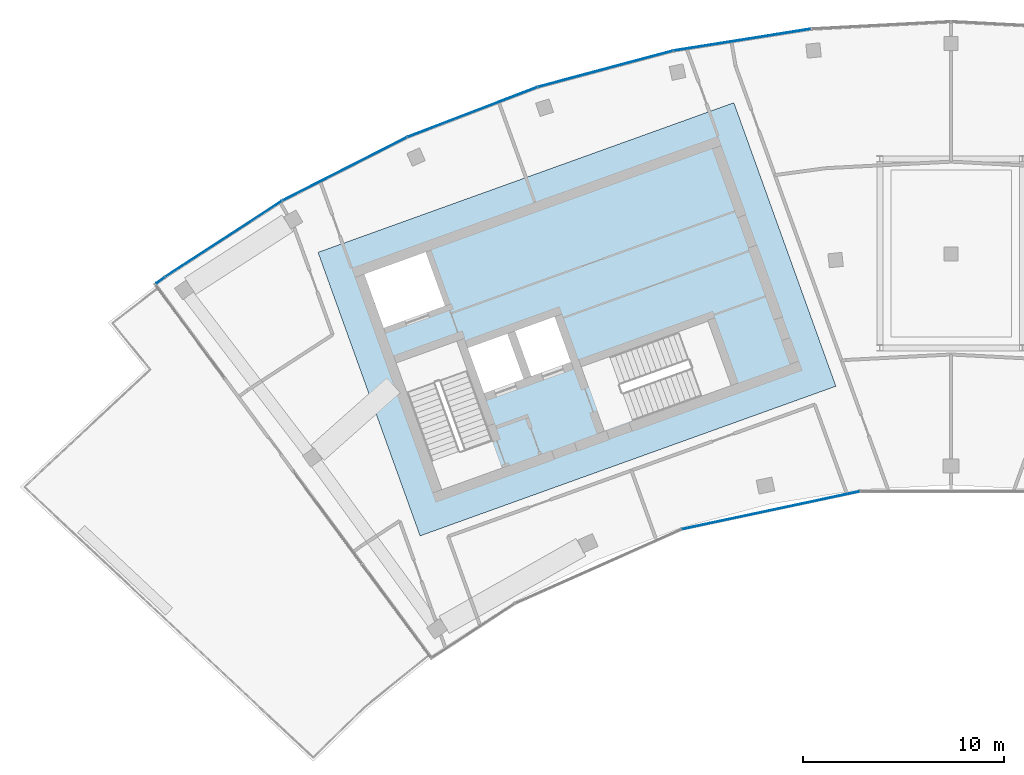
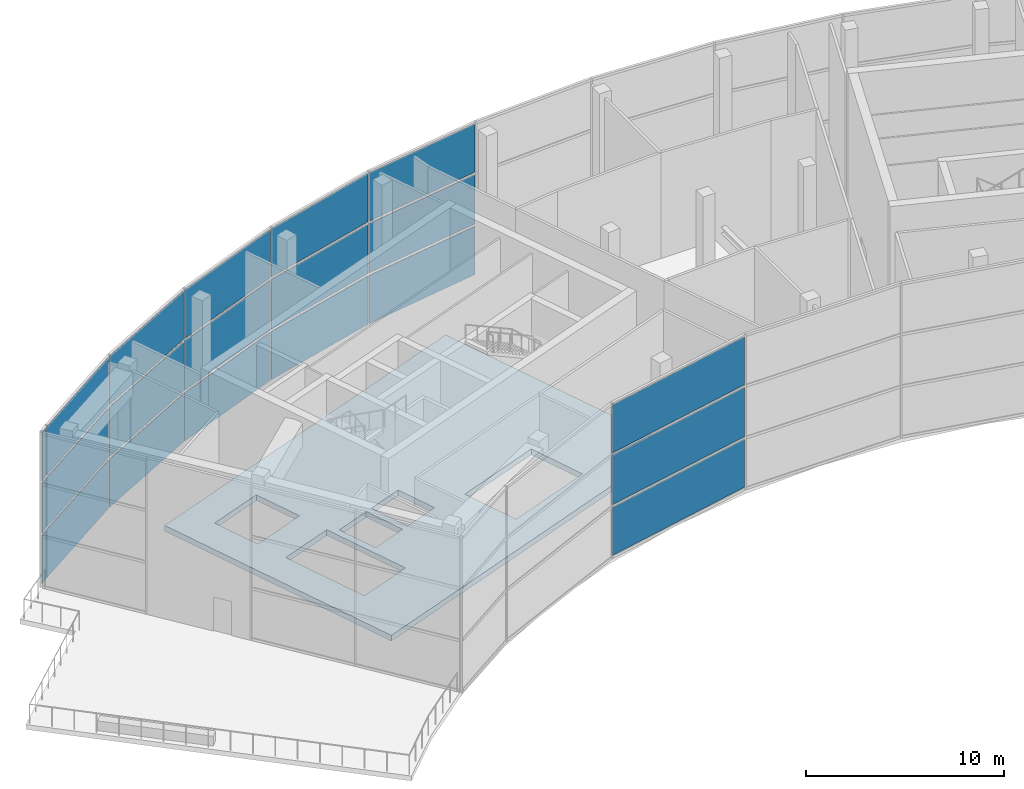
# One storey, part 10 of 20: 21 plates, 1 slab, 2 elements without a shape of their own.
"""IFC4 building model written with IfcOpenShell, lengths in metres."""

from ifc_helpers import new_model, si_unit, direction, frame, origin, origin_2d, place, context, subcontext, project, spatial, polyline, rectangle, outline, extrude, material, layer, layer_set, type_object, element, aggregate, save


model = new_model("IFC4")

# Units and contexts
model_context = context("Model", 3, precision=1e-05, world=origin(), true_north=direction((0.0, 1.0)))
body_context = subcontext(model_context, "Body", "Model", "MODEL_VIEW")
ifc_project = project(units=[si_unit("LENGTHUNIT", "METRE"), si_unit("AREAUNIT", "SQUARE_METRE"), si_unit("VOLUMEUNIT", "CUBIC_METRE"), si_unit("PLANEANGLEUNIT", "RADIAN"), si_unit("MASSUNIT", "GRAM", prefix="KILO")], contexts=[model_context])

# Site, building, storey
site_placement = place(None, origin())
site = spatial("IfcSite", under=ifc_project, at=site_placement, CompositionType="ELEMENT")
building_placement = place(site_placement, origin())
building = spatial("IfcBuilding", under=site, at=building_placement, Name="Stone Belt Terrace Tower", CompositionType="ELEMENT")
storey_placement = place(building_placement, frame((0.0, 0.0, 323.0)))
storey = spatial("IfcBuildingStorey", under=building, at=storey_placement, Name="L78", CompositionType="ELEMENT", Elevation=323.0)

# Curtain wall, plates
ifc_material_1 = material(Name="Aluminium 6063-T6 anodised frame", Category="aluminium")
ifc_layer_1 = layer(ifc_material_1, 0.14990234375)
ifc_layer_set_1 = layer_set([ifc_layer_1], Name="CW-E conservatory and damper hall curtain wall")
curtain_wall_type = type_object("IfcCurtainWallType", Name="CW-E conservatory and damper hall curtain wall", PredefinedType="NOTDEFINED", material=ifc_layer_set_1)
curtain_wall_1_placement = place(storey_placement, origin())
curtain_wall_1 = element("IfcCurtainWall", 1, at=curtain_wall_1_placement, inside=storey, type_object=curtain_wall_type, Name="CW-E concave face L78", PredefinedType="NOTDEFINED")
ifc_material_2 = material(Name="Clear double glazed unit")
ifc_layer_2 = layer(ifc_material_2, 0.035888671875)
ifc_layer_set_2 = layer_set([ifc_layer_2], Name="CW-E glass panel 36")
plate_type = type_object("IfcPlateType", Name="CW-E glass panel 36", PredefinedType="CURTAIN_PANEL", material=ifc_layer_set_2)
plate_1_placement = place(storey_placement, frame((-8.97900390625, 42.242919921875, 0.14990234375), z_axis=(0.0, 0.0, 1.0), x_axis=(0.978147600734, 0.207911690818, 0.0)))
plate_1 = element("IfcPlate", 2, at=plate_1_placement, type_object=plate_type, Name="CW-E panel 3.1", PredefinedType="CURTAIN_PANEL", context=body_context, shape_type="SweptSolid", body=[
    extrude(rectangle(XDim=8.98291015625, YDim=0.035888671875, at=origin_2d()), origin(), (0.0, 0.0, 1.0), 2.97509765625),
])
plate_2_placement = place(storey_placement, frame((-8.97900390625, 42.242919921875, 3.27490234375), z_axis=(0.0, 0.0, 1.0), x_axis=(0.978147600734, 0.207911690818, 0.0)))
plate_2 = element("IfcPlate", 3, at=plate_2_placement, type_object=plate_type, Name="CW-E panel 3.2", PredefinedType="CURTAIN_PANEL", context=body_context, shape_type="SweptSolid", body=[
    extrude(rectangle(XDim=8.98291015625, YDim=0.035888671875, at=origin_2d()), origin(), (0.0, 0.0, 1.0), 3.050048828125),
])
plate_3_placement = place(storey_placement, frame((-8.97900390625, 42.242919921875, 6.474853515625), z_axis=(0.0, 0.0, 1.0), x_axis=(0.978147600734, 0.207911690818, 0.0)))
plate_3 = element("IfcPlate", 4, at=plate_3_placement, type_object=plate_type, Name="CW-E panel 3.3", PredefinedType="CURTAIN_PANEL", context=body_context, shape_type="SweptSolid", body=[
    extrude(rectangle(XDim=8.98291015625, YDim=0.035888671875, at=origin_2d()), origin(), (0.0, 0.0, 1.0), 2.97509765625),
])
aggregate(curtain_wall_1, [plate_1, plate_2, plate_3])

curtain_wall_2_placement = place(storey_placement, origin())
curtain_wall_2 = element("IfcCurtainWall", 5, at=curtain_wall_2_placement, inside=storey, type_object=curtain_wall_type, Name="CW-E convex face L78", PredefinedType="NOTDEFINED")
plate_4_placement = place(storey_placement, frame((-10.400390625, 65.665283203125, 0.14990234375), z_axis=(0.0, 0.0, 1.0), x_axis=(-0.987688340595, -0.15643446504, 0.0)))
plate_4 = element("IfcPlate", 6, at=plate_4_placement, type_object=plate_type, Name="CW-E panel 9.1", PredefinedType="CURTAIN_PANEL", context=body_context, shape_type="SweptSolid", body=[
    extrude(rectangle(XDim=6.880859375, YDim=0.035888671875, at=origin_2d()), origin(), (0.0, 0.0, 1.0), 2.97509765625),
])
plate_5_placement = place(storey_placement, frame((-10.400390625, 65.665283203125, 3.27490234375), z_axis=(0.0, 0.0, 1.0), x_axis=(-0.987688340595, -0.15643446504, 0.0)))
plate_5 = element("IfcPlate", 7, at=plate_5_placement, type_object=plate_type, Name="CW-E panel 9.2", PredefinedType="CURTAIN_PANEL", context=body_context, shape_type="SweptSolid", body=[
    extrude(rectangle(XDim=6.880859375, YDim=0.035888671875, at=origin_2d()), origin(), (0.0, 0.0, 1.0), 3.050048828125),
])
plate_6_placement = place(storey_placement, frame((-10.400390625, 65.665283203125, 6.474853515625), z_axis=(0.0, 0.0, 1.0), x_axis=(-0.987688340595, -0.15643446504, 0.0)))
plate_6 = element("IfcPlate", 8, at=plate_6_placement, type_object=plate_type, Name="CW-E panel 9.3", PredefinedType="CURTAIN_PANEL", context=body_context, shape_type="SweptSolid", body=[
    extrude(rectangle(XDim=6.880859375, YDim=0.035888671875, at=origin_2d()), origin(), (0.0, 0.0, 1.0), 2.97509765625),
])
plate_7_placement = place(storey_placement, frame((-17.207275390625, 64.218505859375, 0.14990234375), z_axis=(0.0, 0.0, 1.0), x_axis=(-0.965925826289, -0.258819045103, 0.0)))
plate_7 = element("IfcPlate", 9, at=plate_7_placement, type_object=plate_type, Name="CW-E panel 10.1", PredefinedType="CURTAIN_PANEL", context=body_context, shape_type="SweptSolid", body=[
    extrude(rectangle(XDim=6.880859375, YDim=0.035888671875, at=origin_2d()), origin(), (0.0, 0.0, 1.0), 2.97509765625),
])
plate_8_placement = place(storey_placement, frame((-17.207275390625, 64.218505859375, 3.27490234375), z_axis=(0.0, 0.0, 1.0), x_axis=(-0.965925826289, -0.258819045103, 0.0)))
plate_8 = element("IfcPlate", 10, at=plate_8_placement, type_object=plate_type, Name="CW-E panel 10.2", PredefinedType="CURTAIN_PANEL", context=body_context, shape_type="SweptSolid", body=[
    extrude(rectangle(XDim=6.880859375, YDim=0.035888671875, at=origin_2d()), origin(), (0.0, 0.0, 1.0), 3.050048828125),
])
plate_9_placement = place(storey_placement, frame((-17.207275390625, 64.218505859375, 6.474853515625), z_axis=(0.0, 0.0, 1.0), x_axis=(-0.965925826289, -0.258819045103, 0.0)))
plate_9 = element("IfcPlate", 11, at=plate_9_placement, type_object=plate_type, Name="CW-E panel 10.3", PredefinedType="CURTAIN_PANEL", context=body_context, shape_type="SweptSolid", body=[
    extrude(rectangle(XDim=6.880859375, YDim=0.035888671875, at=origin_2d()), origin(), (0.0, 0.0, 1.0), 2.97509765625),
])
plate_10_placement = place(storey_placement, frame((-23.82568359375, 62.068115234375, 0.14990234375), z_axis=(0.0, 0.0, 1.0), x_axis=(-0.933580426497, -0.358367949545, 0.0)))
plate_10 = element("IfcPlate", 12, at=plate_10_placement, type_object=plate_type, Name="CW-E panel 11.1", PredefinedType="CURTAIN_PANEL", context=body_context, shape_type="SweptSolid", body=[
    extrude(rectangle(XDim=6.880859375, YDim=0.035888671875, at=origin_2d()), origin(), (0.0, 0.0, 1.0), 2.97509765625),
])
plate_11_placement = place(storey_placement, frame((-23.82568359375, 62.068115234375, 3.27490234375), z_axis=(0.0, 0.0, 1.0), x_axis=(-0.933580426497, -0.358367949545, 0.0)))
plate_11 = element("IfcPlate", 13, at=plate_11_placement, type_object=plate_type, Name="CW-E panel 11.2", PredefinedType="CURTAIN_PANEL", context=body_context, shape_type="SweptSolid", body=[
    extrude(rectangle(XDim=6.880859375, YDim=0.035888671875, at=origin_2d()), origin(), (0.0, 0.0, 1.0), 3.050048828125),
])
plate_12_placement = place(storey_placement, frame((-23.82568359375, 62.068115234375, 6.474853515625), z_axis=(0.0, 0.0, 1.0), x_axis=(-0.933580426497, -0.358367949545, 0.0)))
plate_12 = element("IfcPlate", 14, at=plate_12_placement, type_object=plate_type, Name="CW-E panel 11.3", PredefinedType="CURTAIN_PANEL", context=body_context, shape_type="SweptSolid", body=[
    extrude(rectangle(XDim=6.880859375, YDim=0.035888671875, at=origin_2d()), origin(), (0.0, 0.0, 1.0), 2.97509765625),
])
plate_13_placement = place(storey_placement, frame((-30.18310546875, 59.237548828125, 0.14990234375), z_axis=(0.0, 0.0, 1.0), x_axis=(-0.891006524188, -0.45399049974, 0.0)))
plate_13 = element("IfcPlate", 15, at=plate_13_placement, type_object=plate_type, Name="CW-E panel 12.1", PredefinedType="CURTAIN_PANEL", context=body_context, shape_type="SweptSolid", body=[
    extrude(rectangle(XDim=6.880859375, YDim=0.035888671875, at=origin_2d()), origin(), (0.0, 0.0, 1.0), 2.97509765625),
])
plate_14_placement = place(storey_placement, frame((-30.18310546875, 59.237548828125, 3.27490234375), z_axis=(0.0, 0.0, 1.0), x_axis=(-0.891006524188, -0.45399049974, 0.0)))
plate_14 = element("IfcPlate", 16, at=plate_14_placement, type_object=plate_type, Name="CW-E panel 12.2", PredefinedType="CURTAIN_PANEL", context=body_context, shape_type="SweptSolid", body=[
    extrude(rectangle(XDim=6.880859375, YDim=0.035888671875, at=origin_2d()), origin(), (0.0, 0.0, 1.0), 3.050048828125),
])
plate_15_placement = place(storey_placement, frame((-30.18310546875, 59.237548828125, 6.474853515625), z_axis=(0.0, 0.0, 1.0), x_axis=(-0.891006524188, -0.45399049974, 0.0)))
plate_15 = element("IfcPlate", 17, at=plate_15_placement, type_object=plate_type, Name="CW-E panel 12.3", PredefinedType="CURTAIN_PANEL", context=body_context, shape_type="SweptSolid", body=[
    extrude(rectangle(XDim=6.880859375, YDim=0.035888671875, at=origin_2d()), origin(), (0.0, 0.0, 1.0), 2.97509765625),
])
plate_16_placement = place(storey_placement, frame((-36.209716796875, 55.758056640625, 0.14990234375), z_axis=(0.0, 0.0, 1.0), x_axis=(-0.838670567945, -0.544639035015, 0.0)))
plate_16 = element("IfcPlate", 18, at=plate_16_placement, type_object=plate_type, Name="CW-E panel 13.1", PredefinedType="CURTAIN_PANEL", context=body_context, shape_type="SweptSolid", body=[
    extrude(rectangle(XDim=6.880859375, YDim=0.035888671875, at=origin_2d()), origin(), (0.0, 0.0, 1.0), 2.97509765625),
])
plate_17_placement = place(storey_placement, frame((-36.209716796875, 55.758056640625, 3.27490234375), z_axis=(0.0, 0.0, 1.0), x_axis=(-0.838670567945, -0.544639035015, 0.0)))
plate_17 = element("IfcPlate", 19, at=plate_17_placement, type_object=plate_type, Name="CW-E panel 13.2", PredefinedType="CURTAIN_PANEL", context=body_context, shape_type="SweptSolid", body=[
    extrude(rectangle(XDim=6.880859375, YDim=0.035888671875, at=origin_2d()), origin(), (0.0, 0.0, 1.0), 3.050048828125),
])
plate_18_placement = place(storey_placement, frame((-36.209716796875, 55.758056640625, 6.474853515625), z_axis=(0.0, 0.0, 1.0), x_axis=(-0.838670567945, -0.544639035015, 0.0)))
plate_18 = element("IfcPlate", 20, at=plate_18_placement, type_object=plate_type, Name="CW-E panel 13.3", PredefinedType="CURTAIN_PANEL", context=body_context, shape_type="SweptSolid", body=[
    extrude(rectangle(XDim=6.880859375, YDim=0.035888671875, at=origin_2d()), origin(), (0.0, 0.0, 1.0), 2.97509765625),
])
plate_19_placement = place(storey_placement, frame((-39.361572265625, 53.69189453125, 0.14990234375), z_axis=(0.0, 0.0, 1.0), x_axis=(-0.806646058206, -0.591034801666, 0.0)))
plate_19 = element("IfcPlate", 21, at=plate_19_placement, type_object=plate_type, Name="CW-E panel 14.1", PredefinedType="CURTAIN_PANEL", context=body_context, shape_type="SweptSolid", body=[
    extrude(rectangle(XDim=0.489013671875, YDim=0.035888671875, at=origin_2d()), origin(), (0.0, 0.0, 1.0), 2.97509765625),
])
plate_20_placement = place(storey_placement, frame((-39.361572265625, 53.69189453125, 3.27490234375), z_axis=(0.0, 0.0, 1.0), x_axis=(-0.806646058206, -0.591034801666, 0.0)))
plate_20 = element("IfcPlate", 22, at=plate_20_placement, type_object=plate_type, Name="CW-E panel 14.2", PredefinedType="CURTAIN_PANEL", context=body_context, shape_type="SweptSolid", body=[
    extrude(rectangle(XDim=0.489013671875, YDim=0.035888671875, at=origin_2d()), origin(), (0.0, 0.0, 1.0), 3.050048828125),
])
plate_21_placement = place(storey_placement, frame((-39.361572265625, 53.69189453125, 6.474853515625), z_axis=(0.0, 0.0, 1.0), x_axis=(-0.806646058206, -0.591034801666, 0.0)))
plate_21 = element("IfcPlate", 23, at=plate_21_placement, type_object=plate_type, Name="CW-E panel 14.3", PredefinedType="CURTAIN_PANEL", context=body_context, shape_type="SweptSolid", body=[
    extrude(rectangle(XDim=0.489013671875, YDim=0.035888671875, at=origin_2d()), origin(), (0.0, 0.0, 1.0), 2.97509765625),
])
aggregate(curtain_wall_2, [plate_4, plate_5, plate_6, plate_7, plate_8, plate_9, plate_10, plate_11, plate_12, plate_13, plate_14, plate_15, plate_16, plate_17, plate_18, plate_19, plate_20, plate_21])

# Slab
ifc_material_3 = material(Name="Concrete B40", Category="concrete")
ifc_layer_3 = layer(ifc_material_3, 0.35009765625)
ifc_layer_set_3 = layer_set([ifc_layer_3], Name="Core floor slab 350")
slab_type = type_object("IfcSlabType", Name="Core floor slab 350", PredefinedType="FLOOR", material=ifc_layer_set_3)
slab_placement = place(storey_placement, frame((0.0, 0.0, -0.35009765625)))
element("IfcSlab", 24, at=slab_placement, inside=storey, type_object=slab_type, Name="Core A floor L78", PredefinedType="FLOOR", context=body_context, shape_type="SweptSolid", body=[
    extrude(outline(polyline([(-26.43505859375, 40.968994140625), (-5.735107421875, 48.4189453125), (-10.81396484375, 62.531982421875), (-31.513916015625, 55.0830078125), (-26.43505859375, 40.968994140625)]), holes=[polyline([(-27.618896484375, 49.575927734375), (-24.60791015625, 50.659912109375), (-22.847900390625, 45.76806640625), (-25.85888671875, 44.68408203125), (-27.618896484375, 49.575927734375)]), polyline([(-12.10595703125, 51.652099609375), (-10.955078125, 48.452880859375), (-15.846923828125, 46.69189453125), (-16.998046875, 49.89208984375), (-12.10595703125, 51.652099609375)]), polyline([(-21.27392578125, 48.778076171875), (-23.25, 48.06689453125), (-24.06298828125, 50.324951171875), (-22.0869140625, 51.035888671875), (-21.27392578125, 48.778076171875)]), polyline([(-19.735107421875, 51.883056640625), (-18.922119140625, 49.6240234375), (-20.89794921875, 48.9130859375), (-21.7109375, 51.1708984375), (-19.735107421875, 51.883056640625)]), polyline([(-28.24609375, 51.31689453125), (-29.2109375, 53.9990234375), (-26.153076171875, 55.09912109375), (-25.18798828125, 52.41796875), (-28.24609375, 51.31689453125)])]), origin(), (0.0, 0.0, 1.0), 0.35009765625),
])

save(model, "model.ifc")
